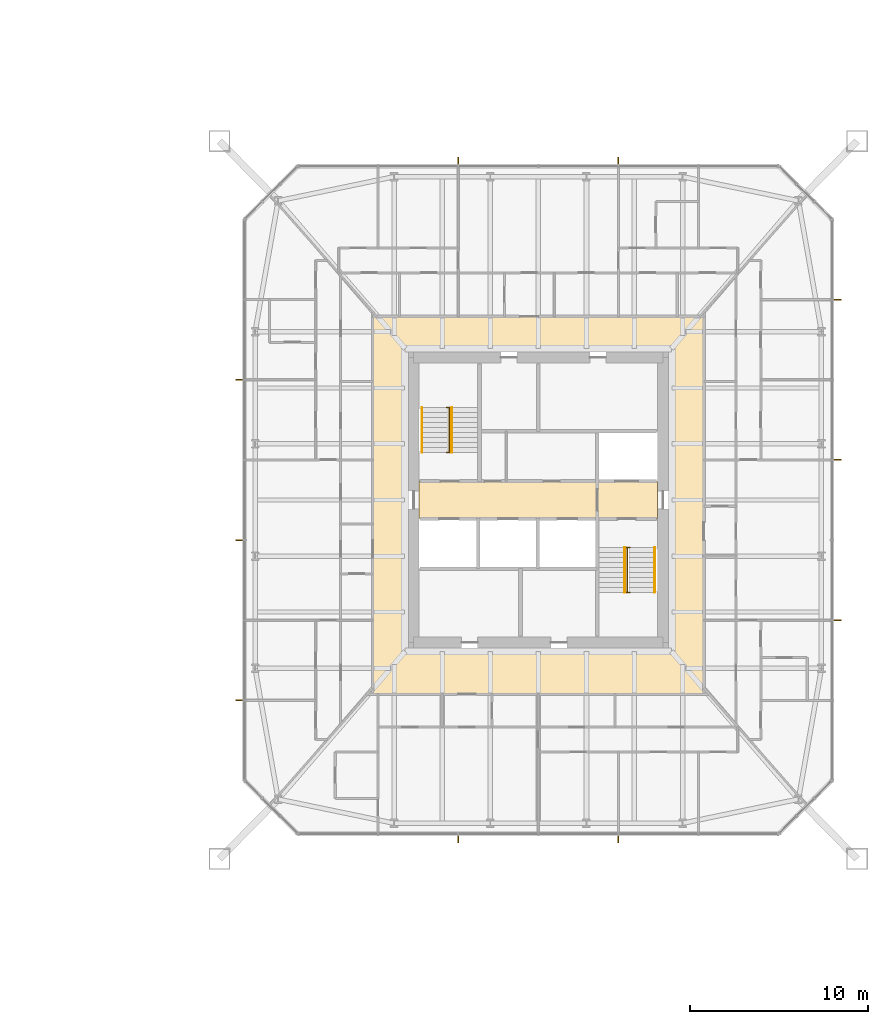
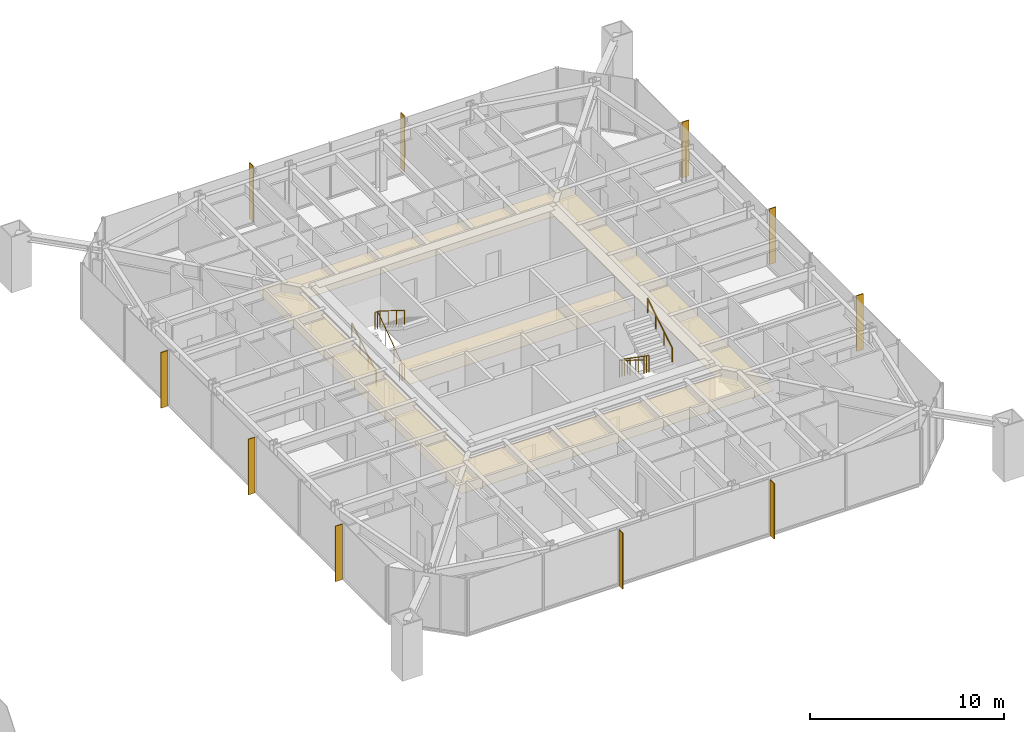
# One storey, part 26 of 26: 10 shading devices, 6 railings, 3 coverings.
"""IFC4 building model written with IfcOpenShell, lengths in metres."""

from ifc_helpers import new_model, si_unit, direction, frame, origin, origin_2d, place, context, subcontext, project, spatial, polyline, rectangle, circle, outline, extrude, material, layer, layer_set, constituent, constituent_set, type_object, element, save


model = new_model("IFC4")

# Units and contexts
model_context = context("Model", 3, precision=1e-05, world=origin(), true_north=direction((0.0, 1.0)))
body_context = subcontext(model_context, "Body", "Model", "MODEL_VIEW")
ifc_project = project(units=[si_unit("LENGTHUNIT", "METRE"), si_unit("AREAUNIT", "SQUARE_METRE"), si_unit("VOLUMEUNIT", "CUBIC_METRE"), si_unit("PLANEANGLEUNIT", "RADIAN"), si_unit("MASSUNIT", "GRAM", prefix="KILO")], contexts=[model_context])

# Site, building, storey
site_placement = place(None, origin())
site = spatial("IfcSite", under=ifc_project, at=site_placement, CompositionType="ELEMENT")
building_placement = place(site_placement, origin())
building = spatial("IfcBuilding", under=site, at=building_placement, Name="Iwan Alto Co-Living Towers", CompositionType="ELEMENT")
storey_placement = place(building_placement, frame((0.0, 0.0, 22.0)))
storey = spatial("IfcBuildingStorey", under=building, at=storey_placement, Name="L05", CompositionType="ELEMENT", Elevation=22.0)

# Coverings
ifc_material_1 = material(Name="Mineral fibre acoustic tiles on steel grid", Category="steel")
ifc_layer_1 = layer(ifc_material_1, 0.02001953125)
ifc_layer_set_1 = layer_set([ifc_layer_1], Name="ACOUSTIC TILE CEILING 20")
covering_type_1 = type_object("IfcCoveringType", Name="ACOUSTIC TILE CEILING 20", PredefinedType="CEILING", material=ifc_layer_set_1)
covering_1_placement = place(storey_placement, frame((0.0, 0.0, 2.60009765625)))
element("IfcCovering", 1, at=covering_1_placement, inside=storey, type_object=covering_type_1, Name="Ceiling Lift lobby L05", PredefinedType="CEILING", context=body_context, shape_type="SweptSolid", body=[
    extrude(outline(polyline([(56.300048828125, -1.050048828125), (56.300048828125, 1.050048828125), (66.300048828125, 1.050048828125), (66.300048828125, -1.050048828125), (56.300048828125, -1.050048828125)])), origin(), (0.0, 0.0, 1.0), 0.02001953125),
])
covering_2_placement = place(storey_placement, frame((0.0, 0.0, 2.60009765625)))
element("IfcCovering", 2, at=covering_2_placement, inside=storey, type_object=covering_type_1, Name="Ceiling Firefighting lobby L05", PredefinedType="CEILING", context=body_context, shape_type="SweptSolid", body=[
    extrude(outline(polyline([(66.300048828125, -1.050048828125), (66.300048828125, 1.050048828125), (69.699951171875, 1.050048828125), (69.699951171875, -1.050048828125), (66.300048828125, -1.050048828125)])), origin(), (0.0, 0.0, 1.0), 0.02001953125),
])

# Shading devices
ifc_material_2 = material(Name="Aluminium 6063-T6 bronze anodised", Category="aluminium")
ifc_layer_2 = layer(ifc_material_2, 0.050048828125)
ifc_layer_set_2 = layer_set([ifc_layer_2], Name="BRONZE FIN 50X400")
shading_device_type = type_object("IfcShadingDeviceType", Name="BRONZE FIN 50X400", PredefinedType="USERDEFINED", material=ifc_layer_set_2)
for number, where, z_axis, x_axis, name in (
    (3, (58.5, -19.050048828125, 0.0), (0.0, 0.0, 1.0), (1.0, 0.0, 0.0), "Bronze fin L05"),
    (4, (67.5, -19.050048828125, 0.0), (0.0, 0.0, 1.0), (1.0, 0.0, 0.0), "Bronze fin L05"),
    (5, (79.800048828125, -6.75, 0.0), (0.0, 0.0, 1.0), (0.0, 1.0, 0.0), "Bronze fin L05"),
    (6, (79.800048828125, 2.25, 0.0), (0.0, 0.0, 1.0), (0.0, 1.0, 0.0), "Bronze fin L05"),
    (7, (79.800048828125, 11.25, 0.0), (0.0, 0.0, 1.0), (0.0, 1.0, 0.0), "Bronze fin L05"),
    (8, (67.5, 19.050048828125, 0.0), (0.0, 0.0, 1.0), (-1.0, 0.0, 0.0), "Bronze fin L05"),
    (9, (58.5, 19.050048828125, 0.0), (0.0, 0.0, 1.0), (-1.0, 0.0, 0.0), "Bronze fin L05"),
    (10, (46.199951171875, 6.75, 0.0), (0.0, 0.0, 1.0), (0.0, -1.0, 0.0), "Bronze fin L05"),
    (11, (46.199951171875, -2.25, 0.0), (0.0, 0.0, 1.0), (0.0, -1.0, 0.0), "Bronze fin L05"),
    (12, (46.199951171875, -11.25, 0.0), (0.0, 0.0, 1.0), (0.0, -1.0, 0.0), "Bronze fin L05"),
):
    element("IfcShadingDevice", number, at=place(storey_placement, frame(where, z_axis=z_axis, x_axis=x_axis)), inside=storey, type_object=shading_device_type, Name=name, ObjectType="LOUVER", PredefinedType="USERDEFINED", context=body_context, shape_type="SweptSolid", body=[
        extrude(rectangle(XDim=0.050048828125, YDim=0.39990234375, at=origin_2d()), origin(), (0.0, 0.0, 1.0), 3.5),
    ])

# Railings
ifc_material_3 = material(Name="Steel ASTM A500 Gr C", Category="steel")
ifc_constituent_1 = constituent(ifc_material_3, Name="Rails and posts", Category="Framing")
ifc_material_4 = material(Name="Steel ASTM A36", Category="steel")
ifc_constituent_2 = constituent(ifc_material_4, Name="Bar infill", Category="Infill")
ifc_constituent_set = constituent_set(constituents=[ifc_constituent_1, ifc_constituent_2], Name="STAIR GUARD 1100")
railing_type_1 = type_object("IfcRailingType", Name="STAIR GUARD 1100", PredefinedType="GUARDRAIL", material=ifc_constituent_set)
railing_1_placement = place(storey_placement, frame((58.0, 2.669921875, 0.0)))
element("IfcRailing", 13, at=railing_1_placement, inside=storey, type_object=railing_type_1, Name="Stair T2-S1 well guard L05", PredefinedType="GUARDRAIL", context=body_context, shape_type="SweptSolid", body=[
    extrude(circle(Radius=0.02392578125, at=origin_2d()), frame((0.0, 0.0, 1.076171875), z_axis=(0.0, 0.821372036852, 0.570392826987), x_axis=(-1.0, 0.0, 0.0)), (0.0, 0.0, 1.0), 3.068115234375),
    extrude(circle(Radius=0.02392578125, at=origin_2d()), frame((-0.14990234375, 0.0, 1.076171875), z_axis=(1.0, 0.0, 0.0), x_axis=(0.0, 1.0, 0.0)), (0.0, 0.0, 1.0), 0.2998046875),
    extrude(circle(Radius=0.02392578125, at=origin_2d()), frame((-0.14990234375, 2.52001953125, 2.826171875), z_axis=(1.0, 0.0, 0.0), x_axis=(0.0, 1.0, 0.0)), (0.0, 0.0, 1.0), 0.2998046875),
    extrude(circle(Radius=0.02099609375, at=origin_2d()), origin(), (0.0, 0.0, 1.0), 1.052001953125),
    extrude(circle(Radius=0.02099609375, at=origin_2d()), frame((0.0, 0.840087890625, 0.583251953125)), (0.0, 0.0, 1.0), 1.052001953125),
    extrude(circle(Radius=0.02099609375, at=origin_2d()), frame((0.0, 1.679931640625, 1.166748046875)), (0.0, 0.0, 1.0), 1.052001953125),
    extrude(circle(Radius=0.02099609375, at=origin_2d()), frame((0.0, 2.52001953125, 1.75)), (0.0, 0.0, 1.0), 1.052001953125),
    extrude(circle(Radius=0.02099609375, at=origin_2d()), frame((-0.14990234375, 0.0, 0.0)), (0.0, 0.0, 1.0), 1.052001953125),
    extrude(circle(Radius=0.02099609375, at=origin_2d()), frame((0.14990234375, 0.0, 0.0)), (0.0, 0.0, 1.0), 1.052001953125),
    extrude(circle(Radius=0.02099609375, at=origin_2d()), frame((-0.14990234375, 2.52001953125, 1.75)), (0.0, 0.0, 1.0), 1.052001953125),
    extrude(circle(Radius=0.02099609375, at=origin_2d()), frame((0.14990234375, 2.52001953125, 1.75)), (0.0, 0.0, 1.0), 1.052001953125),
])
railing_2_placement = place(storey_placement, frame((68.0, -2.669921875, 0.0)))
element("IfcRailing", 14, at=railing_2_placement, inside=storey, type_object=railing_type_1, Name="Stair T2-S2 well guard L05", PredefinedType="GUARDRAIL", context=body_context, shape_type="SweptSolid", body=[
    extrude(circle(Radius=0.02392578125, at=origin_2d()), frame((0.0, 0.0, 1.076171875), z_axis=(0.0, -0.821372036852, 0.570392826987), x_axis=(1.0, 0.0, 0.0)), (0.0, 0.0, 1.0), 3.068115234375),
    extrude(circle(Radius=0.02392578125, at=origin_2d()), frame((-0.14990234375, 0.0, 1.076171875), z_axis=(1.0, 0.0, 0.0), x_axis=(0.0, 1.0, 0.0)), (0.0, 0.0, 1.0), 0.2998046875),
    extrude(circle(Radius=0.02392578125, at=origin_2d()), frame((-0.14990234375, -2.52001953125, 2.826171875), z_axis=(1.0, 0.0, 0.0), x_axis=(0.0, 1.0, 0.0)), (0.0, 0.0, 1.0), 0.2998046875),
    extrude(circle(Radius=0.02099609375, at=origin_2d()), origin(), (0.0, 0.0, 1.0), 1.052001953125),
    extrude(circle(Radius=0.02099609375, at=origin_2d()), frame((0.0, -0.840087890625, 0.583251953125)), (0.0, 0.0, 1.0), 1.052001953125),
    extrude(circle(Radius=0.02099609375, at=origin_2d()), frame((0.0, -1.679931640625, 1.166748046875)), (0.0, 0.0, 1.0), 1.052001953125),
    extrude(circle(Radius=0.02099609375, at=origin_2d()), frame((0.0, -2.52001953125, 1.75)), (0.0, 0.0, 1.0), 1.052001953125),
    extrude(circle(Radius=0.02099609375, at=origin_2d()), frame((-0.14990234375, 0.0, 0.0)), (0.0, 0.0, 1.0), 1.052001953125),
    extrude(circle(Radius=0.02099609375, at=origin_2d()), frame((0.14990234375, 0.0, 0.0)), (0.0, 0.0, 1.0), 1.052001953125),
    extrude(circle(Radius=0.02099609375, at=origin_2d()), frame((-0.14990234375, -2.52001953125, 1.75)), (0.0, 0.0, 1.0), 1.052001953125),
    extrude(circle(Radius=0.02099609375, at=origin_2d()), frame((0.14990234375, -2.52001953125, 1.75)), (0.0, 0.0, 1.0), 1.052001953125),
])
ifc_material_5 = material(Name="Steel ASTM A500 Gr C", Category="steel")
railing_type_2 = type_object("IfcRailingType", Name="STAIR HANDRAIL 900", PredefinedType="HANDRAIL", material=ifc_material_5)
railing_3_placement = place(storey_placement, frame((56.469970703125, 2.669921875, 0.175048828125)))
element("IfcRailing", 15, at=railing_3_placement, inside=storey, type_object=railing_type_2, Name="Stair T2-S1 handrail 1 L05", PredefinedType="HANDRAIL", context=body_context, shape_type="SweptSolid", body=[
    extrude(circle(Radius=0.02392578125, at=origin_2d()), frame((0.0, 0.0, 0.8759765625), z_axis=(0.0, 0.848007534815, 0.529984170421), x_axis=(-1.0, 0.0, 0.0)), (0.0, 0.0, 1.0), 2.9716796875),
    extrude(circle(Radius=0.02099609375, at=origin_2d()), origin(), (0.0, 0.0, 1.0), 0.851806640625),
    extrude(circle(Radius=0.02099609375, at=origin_2d()), frame((0.0, 0.840087890625, 0.52490234375)), (0.0, 0.0, 1.0), 0.851806640625),
    extrude(circle(Radius=0.02099609375, at=origin_2d()), frame((0.0, 1.679931640625, 1.050048828125)), (0.0, 0.0, 1.0), 0.851806640625),
    extrude(circle(Radius=0.02099609375, at=origin_2d()), frame((0.0, 2.52001953125, 1.574951171875)), (0.0, 0.0, 1.0), 0.851806640625),
])
for number, where, name in (
    (16, (58.14990234375, 5.18994140625, 1.925048828125), "Stair T2-S1 handrail 2 L05"),
    (17, (67.85009765625, -2.669921875, 0.175048828125), "Stair T2-S2 handrail 1 L05"),
):
    element("IfcRailing", number, at=place(storey_placement, frame(where)), inside=storey, type_object=railing_type_2, Name=name, PredefinedType="HANDRAIL", context=body_context, shape_type="SweptSolid", body=[
        extrude(circle(Radius=0.02392578125, at=origin_2d()), frame((0.0, 0.0, 0.8759765625), z_axis=(0.0, -0.848007534815, 0.529984170421), x_axis=(1.0, 0.0, 0.0)), (0.0, 0.0, 1.0), 2.9716796875),
        extrude(circle(Radius=0.02099609375, at=origin_2d()), origin(), (0.0, 0.0, 1.0), 0.851806640625),
        extrude(circle(Radius=0.02099609375, at=origin_2d()), frame((0.0, -0.840087890625, 0.52490234375)), (0.0, 0.0, 1.0), 0.851806640625),
        extrude(circle(Radius=0.02099609375, at=origin_2d()), frame((0.0, -1.679931640625, 1.050048828125)), (0.0, 0.0, 1.0), 0.851806640625),
        extrude(circle(Radius=0.02099609375, at=origin_2d()), frame((0.0, -2.52001953125, 1.574951171875)), (0.0, 0.0, 1.0), 0.851806640625),
    ])
railing_4_placement = place(storey_placement, frame((69.530029296875, -5.18994140625, 1.925048828125)))
element("IfcRailing", 18, at=railing_4_placement, inside=storey, type_object=railing_type_2, Name="Stair T2-S2 handrail 2 L05", PredefinedType="HANDRAIL", context=body_context, shape_type="SweptSolid", body=[
    extrude(circle(Radius=0.02392578125, at=origin_2d()), frame((0.0, 0.0, 0.8759765625), z_axis=(0.0, 0.848007534815, 0.529984170421), x_axis=(-1.0, 0.0, 0.0)), (0.0, 0.0, 1.0), 2.9716796875),
    extrude(circle(Radius=0.02099609375, at=origin_2d()), origin(), (0.0, 0.0, 1.0), 0.851806640625),
    extrude(circle(Radius=0.02099609375, at=origin_2d()), frame((0.0, 0.840087890625, 0.52490234375)), (0.0, 0.0, 1.0), 0.851806640625),
    extrude(circle(Radius=0.02099609375, at=origin_2d()), frame((0.0, 1.679931640625, 1.050048828125)), (0.0, 0.0, 1.0), 0.851806640625),
    extrude(circle(Radius=0.02099609375, at=origin_2d()), frame((0.0, 2.52001953125, 1.574951171875)), (0.0, 0.0, 1.0), 0.851806640625),
])

# Covering
ifc_material_6 = material(Name="Gypsum plasterboard on steel grid", Category="steel")
ifc_layer_3 = layer(ifc_material_6, 0.014892578125)
ifc_layer_set_3 = layer_set([ifc_layer_3], Name="SUSPENDED PLASTERBOARD CEILING 15")
covering_type_2 = type_object("IfcCoveringType", Name="SUSPENDED PLASTERBOARD CEILING 15", PredefinedType="CEILING", material=ifc_layer_set_3)
covering_3_placement = place(storey_placement, frame((0.0, 0.0, 2.60009765625)))
element("IfcCovering", 19, at=covering_3_placement, inside=storey, type_object=covering_type_2, Name="Ceiling Corridor L05", PredefinedType="CEILING", context=body_context, shape_type="SweptSolid", body=[
    extrude(outline(polyline([(53.699951171875, 10.300048828125), (72.300048828125, 10.300048828125), (72.300048828125, -10.89990234375), (53.699951171875, -10.89990234375), (53.699951171875, 10.300048828125)]), holes=[polyline([(55.699951171875, 8.300048828125), (55.699951171875, -8.300048828125), (70.300048828125, -8.300048828125), (70.300048828125, 8.300048828125), (55.699951171875, 8.300048828125)])]), origin(), (0.0, 0.0, 1.0), 0.014892578125),
])

save(model, "model.ifc")
